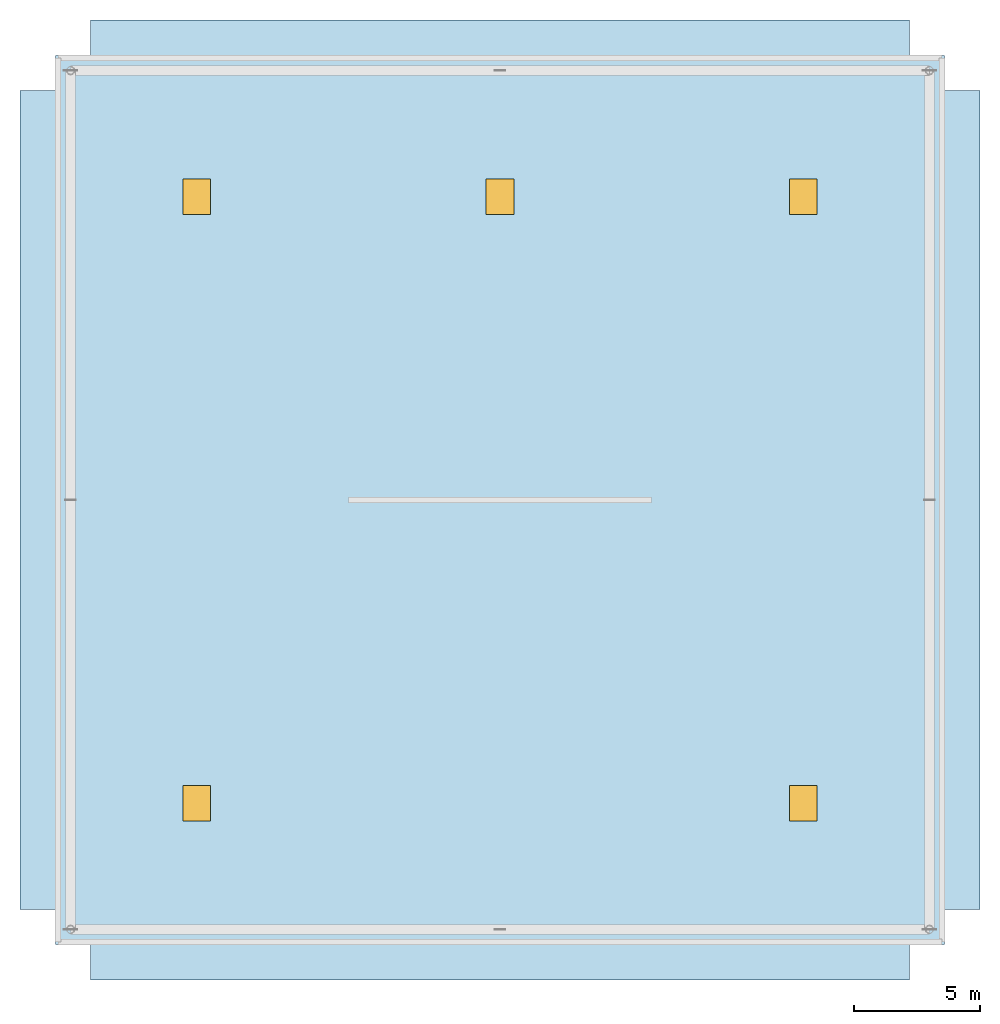
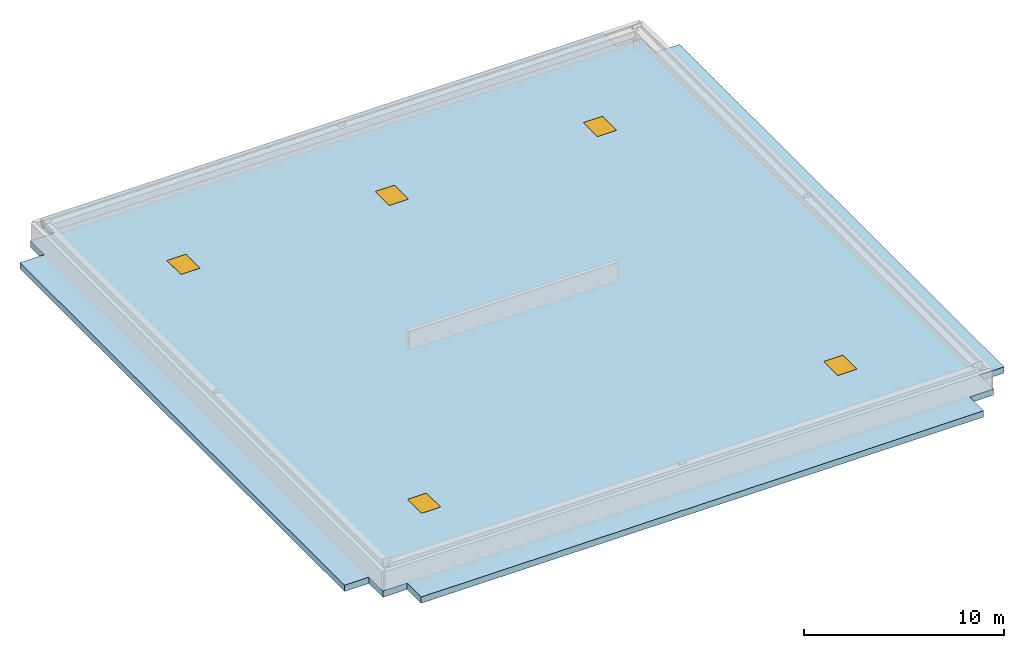
"""IFC4 building model written with IfcOpenShell, lengths in metres."""

import ifcopenshell
import ifcopenshell.guid

model = None  # the IFC model being written
_history = None  # IfcOwnerHistory: only IFC2X3 demands one
_inside = {}  # id of a spatial element -> (the spatial element, [elements in it])
_under = {}  # id of a project, library or spatial element -> (it, [spatial elements below it])
_declared = {}  # id of a project -> (the project, [libraries it declares])
_typed = {}  # id of a type object -> (the type object, [elements of that type])
_made_of = {}  # id of a material, layer set ... -> (it, [elements and type objects made of it])


def new_model(schema):
    """Start an empty IFC model of exactly this schema.

    Asked for "IFC4X3", IfcOpenShell would pick the latest addendum, in which some entities
    have other attributes; the version numbers below select the first issue.
    IFC2X3 requires an IfcOwnerHistory on every rooted entity: one is made here for all.
    """
    global model, _history
    if schema == "IFC4X3":
        model = ifcopenshell.file(schema_version=(4, 3, 0, 0))
    else:
        model = ifcopenshell.file(schema=schema)
    _inside.clear()
    _under.clear()
    _declared.clear()
    _typed.clear()
    _made_of.clear()
    _history = None
    if model.schema == "IFC2X3":
        org = make("IfcOrganization", Name="unknown")
        user = make(
            "IfcPersonAndOrganization",
            ThePerson=make("IfcPerson", FamilyName="unknown"),
            TheOrganization=org,
        )
        app = make(
            "IfcApplication",
            ApplicationDeveloper=org,
            Version="unknown",
            ApplicationFullName="unknown",
            ApplicationIdentifier="unknown",
        )
        _history = make(
            "IfcOwnerHistory",
            OwningUser=user,
            OwningApplication=app,
            ChangeAction="ADDED",
            CreationDate=0,
        )
    return model


def make(cls, **values):
    """One entity of the class cls with the attributes given. An attribute that is None is left unset."""
    return model.create_entity(
        cls, **{name: value for name, value in values.items() if value is not None}
    )


def rooted(cls, **values):
    """An entity with a GlobalId (a new one), such as an element, a storey or a relation."""
    return make(cls, GlobalId=ifcopenshell.guid.new(), OwnerHistory=_history, **values)


def si_unit(unit_type, name, prefix=None):
    """IfcSIUnit, for example si_unit("LENGTHUNIT", "METRE", prefix="MILLI")."""
    return make("IfcSIUnit", UnitType=unit_type, Prefix=prefix, Name=name)


def assignment(units):
    """IfcUnitAssignment: the units of a project."""
    return None if units is None else make("IfcUnitAssignment", Units=units)


def point(xyz):
    """IfcCartesianPoint."""
    return None if xyz is None else make("IfcCartesianPoint", Coordinates=xyz)


def direction(xyz):
    """IfcDirection."""
    return None if xyz is None else make("IfcDirection", DirectionRatios=xyz)


def frame(location, z_axis=None, x_axis=None):
    """IfcAxis2Placement3D, a coordinate frame: its origin and axes. An axis left out is left unset."""
    return make(
        "IfcAxis2Placement3D",
        Location=point(location),
        Axis=direction(z_axis),
        RefDirection=direction(x_axis),
    )


def frame_2d(location, x_axis=None):
    """IfcAxis2Placement2D, a coordinate frame in the plane: its origin and x axis."""
    return make(
        "IfcAxis2Placement2D", Location=point(location), RefDirection=direction(x_axis)
    )


def origin():
    """The frame at (0, 0, 0) with its axes left unset."""
    return frame((0.0, 0.0, 0.0))


def origin_2d():
    """The frame at (0, 0) in the plane with its x axis left unset."""
    return frame_2d((0.0, 0.0))


def place(relative_to, where):
    """IfcLocalPlacement: puts the frame where relative to a parent placement (None: the world)."""
    return make(
        "IfcLocalPlacement", PlacementRelTo=relative_to, RelativePlacement=where
    )


def context(
    kind, dimensions, precision=None, world=None, true_north=None, identifier=None
):
    """IfcGeometricRepresentationContext, for example the 3D "Model" context."""
    return make(
        "IfcGeometricRepresentationContext",
        ContextIdentifier=identifier,
        ContextType=kind,
        CoordinateSpaceDimension=dimensions,
        Precision=precision,
        WorldCoordinateSystem=world,
        TrueNorth=true_north,
    )


def subcontext(parent, identifier, kind, view, scale=None):
    """IfcGeometricRepresentationSubContext, for example "Body" below "Model"."""
    return make(
        "IfcGeometricRepresentationSubContext",
        ContextIdentifier=identifier,
        ContextType=kind,
        ParentContext=parent,
        TargetScale=scale,
        TargetView=view,
    )


def project(units=None, contexts=None):
    """IfcProject with its units and contexts."""
    return rooted(
        "IfcProject",
        Name="project",
        RepresentationContexts=contexts,
        UnitsInContext=assignment(units),
    )


def spatial(cls, under=None, at=None, **own):
    """A site, building, storey or space (cls), placed at a placement, below another one or the project."""
    s = rooted(cls, ObjectPlacement=at, **own)
    if under is not None:
        _under.setdefault(under.id(), (under, []))[1].append(s)
    return s


def polyline(points):
    """IfcPolyline through the points."""
    return make("IfcPolyline", Points=[point(p) for p in points])


def profile(cls, at=None, kind="AREA", **sizes):
    """A parametric profile (cls). Its sizes go by their IFC names, for example OverallWidth=200.0."""
    return make(cls, ProfileType=kind, Position=at, **sizes)


def rectangle(**sizes):
    """IfcRectangleProfileDef."""
    return profile("IfcRectangleProfileDef", **sizes)


def outline(outer, holes=None, kind="AREA"):
    """IfcArbitraryClosedProfileDef: a profile drawn as a closed curve; with holes, ...WithVoids."""
    if holes is None:
        return make("IfcArbitraryClosedProfileDef", ProfileType=kind, OuterCurve=outer)
    return make(
        "IfcArbitraryProfileDefWithVoids",
        ProfileType=kind,
        OuterCurve=outer,
        InnerCurves=holes,
    )


def extrude(swept, where, along, depth):
    """IfcExtrudedAreaSolid: the profile swept, set in the frame where, extruded along a direction by depth."""
    return make(
        "IfcExtrudedAreaSolid",
        SweptArea=swept,
        Position=where,
        ExtrudedDirection=direction(along),
        Depth=depth,
    )


def shape(context_of_items, identifier, shape_type, items):
    """IfcShapeRepresentation: the items that make up one representation, for example the "Body"."""
    return make(
        "IfcShapeRepresentation",
        ContextOfItems=context_of_items,
        RepresentationIdentifier=identifier,
        RepresentationType=shape_type,
        Items=items,
    )


def material(Name=None, Category=None):
    """IfcMaterial."""
    return make("IfcMaterial", Name=Name, Category=Category)


def layer(
    of_material, thickness, ventilated=None, Name=None, Category=None, Priority=None
):
    """IfcMaterialLayer: one layer of a wall or slab, of a material (None: an air gap)."""
    return make(
        "IfcMaterialLayer",
        Material=of_material,
        LayerThickness=thickness,
        IsVentilated=ventilated,
        Name=Name,
        Category=Category,
        Priority=Priority,
    )


def layer_set(layers, Name=None):
    """IfcMaterialLayerSet."""
    return make("IfcMaterialLayerSet", MaterialLayers=layers, LayerSetName=Name)


def made_of(thing, what):
    """Note that an element or type object is made of a material, layer set ...; save() writes the relation."""
    if what is not None:
        _made_of.setdefault(what.id(), (what, []))[1].append(thing)
    return thing


def type_object(cls, material=None, **own):
    """A type object (cls), such as IfcWallType, which elements share."""
    return made_of(rooted(cls, **own), material)


def element(
    cls,
    number,
    at=None,
    inside=None,
    cuts=None,
    type_object=None,
    material=None,
    context=None,
    identifier="Body",
    shape_type=None,
    held_by="IfcProductDefinitionShape",
    body=None,
    shapes=None,
    **own,
):
    """One element of the class cls, such as IfcWall. Its Tag is "e" and its number.

    at: its placement. inside: the storey or other place that contains it. cuts: it is an
    opening in that element (IfcRelVoidsElement). A single representation is given by context,
    identifier, shape_type and body (its items); several are given by shapes. held_by: the class
    of the entity that holds the representations. save() writes the other relations.
    """
    e = rooted(cls, Tag="e%d" % number, ObjectPlacement=at, **own)
    if body is not None:
        shapes = [shape(context, identifier, shape_type, body)]
    if shapes is not None:
        e.Representation = make(held_by, Representations=shapes)
    if inside is not None:
        _inside.setdefault(inside.id(), (inside, []))[1].append(e)
    if cuts is not None:
        rooted(
            "IfcRelVoidsElement", RelatingBuildingElement=cuts, RelatedOpeningElement=e
        )
    if type_object is not None:
        _typed.setdefault(type_object.id(), (type_object, []))[1].append(e)
    return made_of(e, material)


def fill(opening, filler):
    """IfcRelFillsElement: the door or window that sits in an opening."""
    return rooted(
        "IfcRelFillsElement",
        RelatingOpeningElement=opening,
        RelatedBuildingElement=filler,
    )


def aggregate(whole, parts):
    """IfcRelAggregates: a whole, such as a stair, and the parts it consists of."""
    return rooted("IfcRelAggregates", RelatingObject=whole, RelatedObjects=parts)


def save(model, path):
    """Write the relations noted so far, then the file.

    IfcRelAggregates (storeys below a building ...), IfcRelContainedInSpatialStructure (elements
    in a storey), IfcRelDefinesByType, IfcRelAssociatesMaterial and IfcRelDeclares: one each for
    every whole, place, type object, material and project.
    """
    for whole, parts in _under.values():
        aggregate(whole, parts)
    for where, things in _inside.values():
        rooted(
            "IfcRelContainedInSpatialStructure",
            RelatedElements=things,
            RelatingStructure=where,
        )
    for kind, things in _typed.values():
        rooted("IfcRelDefinesByType", RelatedObjects=things, RelatingType=kind)
    for what, things in _made_of.values():
        rooted("IfcRelAssociatesMaterial", RelatedObjects=things, RelatingMaterial=what)
    for by, libraries in _declared.values():
        rooted("IfcRelDeclares", RelatingContext=by, RelatedDefinitions=libraries)
    model.write(path)


model = new_model("IFC4")

# Units and contexts
model_context = context("Model", 3, precision=1e-05, world=origin(), true_north=direction((0.0, 1.0)))
body_context = subcontext(model_context, "Body", "Model", "MODEL_VIEW")
ifc_project = project(units=[si_unit("LENGTHUNIT", "METRE"), si_unit("AREAUNIT", "SQUARE_METRE"), si_unit("VOLUMEUNIT", "CUBIC_METRE"), si_unit("PLANEANGLEUNIT", "RADIAN"), si_unit("MASSUNIT", "GRAM", prefix="KILO")], contexts=[model_context])

# Site, building, storey
site_placement = place(None, origin())
site = spatial("IfcSite", under=ifc_project, at=site_placement, CompositionType="ELEMENT")
building_placement = place(site_placement, origin())
building = spatial("IfcBuilding", under=site, at=building_placement, Name="Nahalor Promenade Grand Hotel", CompositionType="ELEMENT")
storey_1_placement = place(building_placement, frame((0.0, 0.0, 375.449951171875)))
storey_1 = spatial("IfcBuildingStorey", under=building, at=storey_1_placement, Name="RF", CompositionType="ELEMENT", Elevation=375.449951171875)

# Slab, openings
ifc_material_1 = material(Name="Concrete B-50 (C40/50)", Category="concrete")
ifc_layer = layer(ifc_material_1, 0.3798828125)
ifc_layer_set = layer_set([ifc_layer], Name="Concrete B-50 (C40/50)")
slab_type = type_object("IfcSlabType", Name="Slab-CrownRoof-380", PredefinedType="ROOF", material=ifc_layer_set)
slab_placement = place(storey_1_placement, frame((0.0, 0.0, -0.3798828125)))
slab = element("IfcSlab", 1, at=slab_placement, inside=storey_1, type_object=slab_type, Name="Crown Structural Bronze Roof Slab", PredefinedType="ROOF", context=body_context, shape_type="SweptSolid", body=[
    extrude(outline(polyline([(-16.199951171875, -19.0), (16.199951171875, -19.0), (16.199951171875, -17.60009765625), (17.60009765625, -17.60009765625), (17.60009765625, -16.199951171875), (19.0, -16.199951171875), (19.0, 16.199951171875), (17.60009765625, 16.199951171875), (17.60009765625, 17.60009765625), (16.199951171875, 17.60009765625), (16.199951171875, 19.0), (-16.199951171875, 19.0), (-16.199951171875, 17.60009765625), (-17.60009765625, 17.60009765625), (-17.60009765625, 16.199951171875), (-19.0, 16.199951171875), (-19.0, -16.199951171875), (-17.60009765625, -16.199951171875), (-17.60009765625, -17.60009765625), (-16.199951171875, -17.60009765625), (-16.199951171875, -19.0)])), origin(), (0.0, 0.0, 1.0), 0.3798828125),
])
opening_1_placement = place(slab_placement, frame((-12.0, 12.0, 0.0)))
opening_1 = element("IfcOpeningElement", 2, at=opening_1_placement, cuts=slab, Name="Opening D-RH1", PredefinedType="OPENING", context=body_context, shape_type="SweptSolid", body=[
    extrude(rectangle(XDim=1.10009765625, YDim=1.39990234375, at=origin_2d()), frame((0.0, 0.0, -0.010009765625)), (0.0, 0.0, 1.0), 0.39990234375),
])
opening_2_placement = place(slab_placement, frame((-12.0, -12.0, 0.0)))
opening_2 = element("IfcOpeningElement", 3, at=opening_2_placement, cuts=slab, Name="Opening D-RH1", PredefinedType="OPENING", context=body_context, shape_type="SweptSolid", body=[
    extrude(rectangle(XDim=1.10009765625, YDim=1.39990234375, at=origin_2d()), frame((0.0, 0.0, -0.010009765625)), (0.0, 0.0, 1.0), 0.39990234375),
])
opening_3_placement = place(slab_placement, frame((12.0, 12.0, 0.0)))
opening_3 = element("IfcOpeningElement", 4, at=opening_3_placement, cuts=slab, Name="Opening D-RH1", PredefinedType="OPENING", context=body_context, shape_type="SweptSolid", body=[
    extrude(rectangle(XDim=1.10009765625, YDim=1.39990234375, at=origin_2d()), frame((0.0, 0.0, -0.010009765625)), (0.0, 0.0, 1.0), 0.39990234375),
])
opening_4_placement = place(slab_placement, frame((12.0, -12.0, 0.0)))
opening_4 = element("IfcOpeningElement", 5, at=opening_4_placement, cuts=slab, Name="Opening D-RH1", PredefinedType="OPENING", context=body_context, shape_type="SweptSolid", body=[
    extrude(rectangle(XDim=1.10009765625, YDim=1.39990234375, at=origin_2d()), frame((0.0, 0.0, -0.010009765625)), (0.0, 0.0, 1.0), 0.39990234375),
])
opening_5_placement = place(slab_placement, frame((0.0, 12.0, 0.0)))
opening_5 = element("IfcOpeningElement", 6, at=opening_5_placement, cuts=slab, Name="Opening D-RH1", PredefinedType="OPENING", context=body_context, shape_type="SweptSolid", body=[
    extrude(rectangle(XDim=1.10009765625, YDim=1.39990234375, at=origin_2d()), frame((0.0, 0.0, -0.010009765625)), (0.0, 0.0, 1.0), 0.39990234375),
])

# Storey
storey_2_placement = place(building_placement, frame((0.0, 0.0, 370.85009765625)))
storey_2 = spatial("IfcBuildingStorey", under=building, at=storey_2_placement, Name="L94", CompositionType="ELEMENT", Elevation=370.85009765625)

# Door
ifc_material_2 = material(Name="Steel S355JR", Category="steel")
door_type = type_object("IfcDoorType", Name="Door-RoofHatch-1100", OperationType="SINGLE_SWING_LEFT", PredefinedType="TRAPDOOR", material=ifc_material_2)
door_1_placement = place(opening_1_placement, frame((0.0, 0.0, 0.329833984375)))
door_1 = element("IfcDoor", 7, at=door_1_placement, inside=storey_2, type_object=door_type, Name="TRAP-RF-01", OperationType="SINGLE_SWING_LEFT", OverallHeight=1.39990234375, OverallWidth=1.10009765625, PredefinedType="TRAPDOOR", context=body_context, shape_type="SweptSolid", body=[
    extrude(rectangle(XDim=1.10009765625, YDim=1.39990234375, at=origin_2d()), origin(), (0.0, 0.0, 1.0), 0.050048828125),
])

fill(opening_1, door_1)

door_2_placement = place(opening_2_placement, frame((0.0, 0.0, 0.329833984375)))
door_2 = element("IfcDoor", 8, at=door_2_placement, inside=storey_2, type_object=door_type, Name="TRAP-RF-02", OperationType="SINGLE_SWING_LEFT", OverallHeight=1.39990234375, OverallWidth=1.10009765625, PredefinedType="TRAPDOOR", context=body_context, shape_type="SweptSolid", body=[
    extrude(rectangle(XDim=1.10009765625, YDim=1.39990234375, at=origin_2d()), origin(), (0.0, 0.0, 1.0), 0.050048828125),
])

fill(opening_2, door_2)

door_3_placement = place(opening_3_placement, frame((0.0, 0.0, 0.329833984375)))
door_3 = element("IfcDoor", 9, at=door_3_placement, inside=storey_2, type_object=door_type, Name="TRAP-RF-03", OperationType="SINGLE_SWING_LEFT", OverallHeight=1.39990234375, OverallWidth=1.10009765625, PredefinedType="TRAPDOOR", context=body_context, shape_type="SweptSolid", body=[
    extrude(rectangle(XDim=1.10009765625, YDim=1.39990234375, at=origin_2d()), origin(), (0.0, 0.0, 1.0), 0.050048828125),
])

fill(opening_3, door_3)

door_4_placement = place(opening_4_placement, frame((0.0, 0.0, 0.329833984375)))
door_4 = element("IfcDoor", 10, at=door_4_placement, inside=storey_2, type_object=door_type, Name="TRAP-RF-04", OperationType="SINGLE_SWING_LEFT", OverallHeight=1.39990234375, OverallWidth=1.10009765625, PredefinedType="TRAPDOOR", context=body_context, shape_type="SweptSolid", body=[
    extrude(rectangle(XDim=1.10009765625, YDim=1.39990234375, at=origin_2d()), origin(), (0.0, 0.0, 1.0), 0.050048828125),
])

fill(opening_4, door_4)

door_5_placement = place(opening_5_placement, frame((0.0, 0.0, 0.329833984375)))
door_5 = element("IfcDoor", 11, at=door_5_placement, inside=storey_2, type_object=door_type, Name="TRAP-RF-05", OperationType="SINGLE_SWING_LEFT", OverallHeight=1.39990234375, OverallWidth=1.10009765625, PredefinedType="TRAPDOOR", context=body_context, shape_type="SweptSolid", body=[
    extrude(rectangle(XDim=1.10009765625, YDim=1.39990234375, at=origin_2d()), origin(), (0.0, 0.0, 1.0), 0.050048828125),
])

fill(opening_5, door_5)

save(model, "model.ifc")
